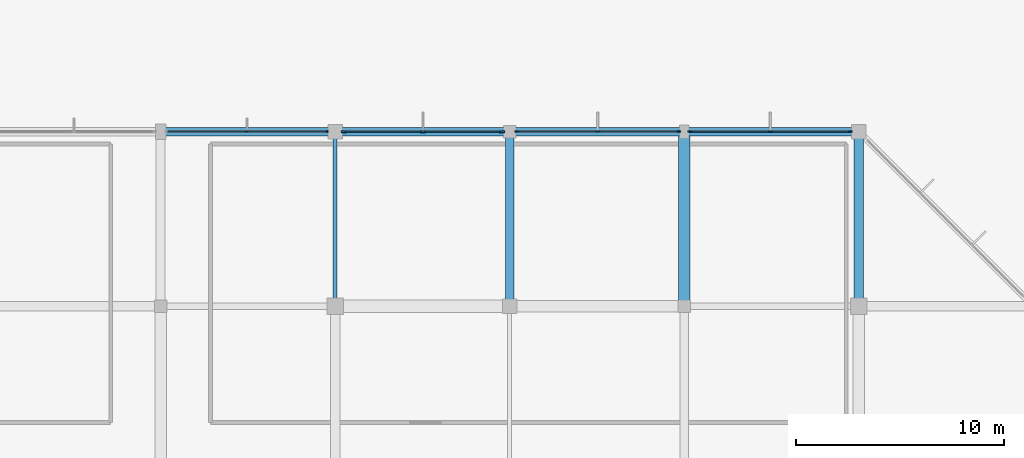
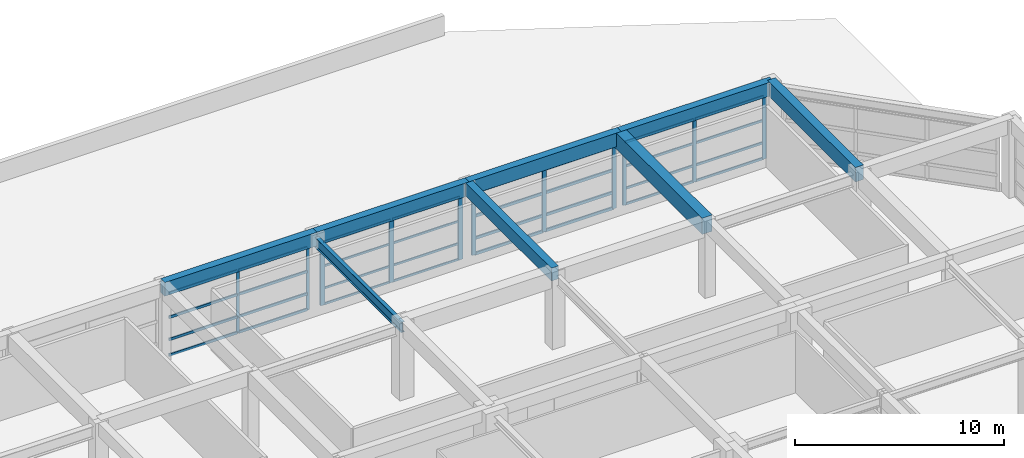
# One storey, part 34 of 60: 43 members, 8 beams, 4 elements without a shape of their own.
"""IFC4 building model written with IfcOpenShell, lengths in metres."""

import ifcopenshell
import ifcopenshell.guid

model = None  # the IFC model being written
_history = None  # IfcOwnerHistory: only IFC2X3 demands one
_inside = {}  # id of a spatial element -> (the spatial element, [elements in it])
_under = {}  # id of a project, library or spatial element -> (it, [spatial elements below it])
_declared = {}  # id of a project -> (the project, [libraries it declares])
_typed = {}  # id of a type object -> (the type object, [elements of that type])
_made_of = {}  # id of a material, layer set ... -> (it, [elements and type objects made of it])


def new_model(schema):
    """Start an empty IFC model of exactly this schema.

    Asked for "IFC4X3", IfcOpenShell would pick the latest addendum, in which some entities
    have other attributes; the version numbers below select the first issue.
    IFC2X3 requires an IfcOwnerHistory on every rooted entity: one is made here for all.
    """
    global model, _history
    if schema == "IFC4X3":
        model = ifcopenshell.file(schema_version=(4, 3, 0, 0))
    else:
        model = ifcopenshell.file(schema=schema)
    _inside.clear()
    _under.clear()
    _declared.clear()
    _typed.clear()
    _made_of.clear()
    _history = None
    if model.schema == "IFC2X3":
        org = make("IfcOrganization", Name="unknown")
        user = make(
            "IfcPersonAndOrganization",
            ThePerson=make("IfcPerson", FamilyName="unknown"),
            TheOrganization=org,
        )
        app = make(
            "IfcApplication",
            ApplicationDeveloper=org,
            Version="unknown",
            ApplicationFullName="unknown",
            ApplicationIdentifier="unknown",
        )
        _history = make(
            "IfcOwnerHistory",
            OwningUser=user,
            OwningApplication=app,
            ChangeAction="ADDED",
            CreationDate=0,
        )
    return model


def make(cls, **values):
    """One entity of the class cls with the attributes given. An attribute that is None is left unset."""
    return model.create_entity(
        cls, **{name: value for name, value in values.items() if value is not None}
    )


def rooted(cls, **values):
    """An entity with a GlobalId (a new one), such as an element, a storey or a relation."""
    return make(cls, GlobalId=ifcopenshell.guid.new(), OwnerHistory=_history, **values)


def si_unit(unit_type, name, prefix=None):
    """IfcSIUnit, for example si_unit("LENGTHUNIT", "METRE", prefix="MILLI")."""
    return make("IfcSIUnit", UnitType=unit_type, Prefix=prefix, Name=name)


def assignment(units):
    """IfcUnitAssignment: the units of a project."""
    return None if units is None else make("IfcUnitAssignment", Units=units)


def point(xyz):
    """IfcCartesianPoint."""
    return None if xyz is None else make("IfcCartesianPoint", Coordinates=xyz)


def direction(xyz):
    """IfcDirection."""
    return None if xyz is None else make("IfcDirection", DirectionRatios=xyz)


def frame(location, z_axis=None, x_axis=None):
    """IfcAxis2Placement3D, a coordinate frame: its origin and axes. An axis left out is left unset."""
    return make(
        "IfcAxis2Placement3D",
        Location=point(location),
        Axis=direction(z_axis),
        RefDirection=direction(x_axis),
    )


def frame_2d(location, x_axis=None):
    """IfcAxis2Placement2D, a coordinate frame in the plane: its origin and x axis."""
    return make(
        "IfcAxis2Placement2D", Location=point(location), RefDirection=direction(x_axis)
    )


def origin():
    """The frame at (0, 0, 0) with its axes left unset."""
    return frame((0.0, 0.0, 0.0))


def origin_2d():
    """The frame at (0, 0) in the plane with its x axis left unset."""
    return frame_2d((0.0, 0.0))


def place(relative_to, where):
    """IfcLocalPlacement: puts the frame where relative to a parent placement (None: the world)."""
    return make(
        "IfcLocalPlacement", PlacementRelTo=relative_to, RelativePlacement=where
    )


def context(
    kind, dimensions, precision=None, world=None, true_north=None, identifier=None
):
    """IfcGeometricRepresentationContext, for example the 3D "Model" context."""
    return make(
        "IfcGeometricRepresentationContext",
        ContextIdentifier=identifier,
        ContextType=kind,
        CoordinateSpaceDimension=dimensions,
        Precision=precision,
        WorldCoordinateSystem=world,
        TrueNorth=true_north,
    )


def subcontext(parent, identifier, kind, view, scale=None):
    """IfcGeometricRepresentationSubContext, for example "Body" below "Model"."""
    return make(
        "IfcGeometricRepresentationSubContext",
        ContextIdentifier=identifier,
        ContextType=kind,
        ParentContext=parent,
        TargetScale=scale,
        TargetView=view,
    )


def project(units=None, contexts=None):
    """IfcProject with its units and contexts."""
    return rooted(
        "IfcProject",
        Name="project",
        RepresentationContexts=contexts,
        UnitsInContext=assignment(units),
    )


def spatial(cls, under=None, at=None, **own):
    """A site, building, storey or space (cls), placed at a placement, below another one or the project."""
    s = rooted(cls, ObjectPlacement=at, **own)
    if under is not None:
        _under.setdefault(under.id(), (under, []))[1].append(s)
    return s


def profile(cls, at=None, kind="AREA", **sizes):
    """A parametric profile (cls). Its sizes go by their IFC names, for example OverallWidth=200.0."""
    return make(cls, ProfileType=kind, Position=at, **sizes)


def rectangle(**sizes):
    """IfcRectangleProfileDef."""
    return profile("IfcRectangleProfileDef", **sizes)


def i_section(**sizes):
    """IfcIShapeProfileDef."""
    return profile("IfcIShapeProfileDef", **sizes)


def extrude(swept, where, along, depth):
    """IfcExtrudedAreaSolid: the profile swept, set in the frame where, extruded along a direction by depth."""
    return make(
        "IfcExtrudedAreaSolid",
        SweptArea=swept,
        Position=where,
        ExtrudedDirection=direction(along),
        Depth=depth,
    )


def shape(context_of_items, identifier, shape_type, items):
    """IfcShapeRepresentation: the items that make up one representation, for example the "Body"."""
    return make(
        "IfcShapeRepresentation",
        ContextOfItems=context_of_items,
        RepresentationIdentifier=identifier,
        RepresentationType=shape_type,
        Items=items,
    )


def material(Name=None, Category=None):
    """IfcMaterial."""
    return make("IfcMaterial", Name=Name, Category=Category)


def material_profile(
    of_material, cross_section, Name=None, Category=None, Priority=None
):
    """IfcMaterialProfile: a cross section and its material."""
    return make(
        "IfcMaterialProfile",
        Name=Name,
        Material=of_material,
        Profile=cross_section,
        Priority=Priority,
        Category=Category,
    )


def profile_set(profiles, Name=None, composite=None):
    """IfcMaterialProfileSet."""
    return make(
        "IfcMaterialProfileSet",
        Name=Name,
        MaterialProfiles=profiles,
        CompositeProfile=composite,
    )


def made_of(thing, what):
    """Note that an element or type object is made of a material, layer set ...; save() writes the relation."""
    if what is not None:
        _made_of.setdefault(what.id(), (what, []))[1].append(thing)
    return thing


def type_object(cls, material=None, **own):
    """A type object (cls), such as IfcWallType, which elements share."""
    return made_of(rooted(cls, **own), material)


def element(
    cls,
    number,
    at=None,
    inside=None,
    cuts=None,
    type_object=None,
    material=None,
    context=None,
    identifier="Body",
    shape_type=None,
    held_by="IfcProductDefinitionShape",
    body=None,
    shapes=None,
    **own,
):
    """One element of the class cls, such as IfcWall. Its Tag is "e" and its number.

    at: its placement. inside: the storey or other place that contains it. cuts: it is an
    opening in that element (IfcRelVoidsElement). A single representation is given by context,
    identifier, shape_type and body (its items); several are given by shapes. held_by: the class
    of the entity that holds the representations. save() writes the other relations.
    """
    e = rooted(cls, Tag="e%d" % number, ObjectPlacement=at, **own)
    if body is not None:
        shapes = [shape(context, identifier, shape_type, body)]
    if shapes is not None:
        e.Representation = make(held_by, Representations=shapes)
    if inside is not None:
        _inside.setdefault(inside.id(), (inside, []))[1].append(e)
    if cuts is not None:
        rooted(
            "IfcRelVoidsElement", RelatingBuildingElement=cuts, RelatedOpeningElement=e
        )
    if type_object is not None:
        _typed.setdefault(type_object.id(), (type_object, []))[1].append(e)
    return made_of(e, material)


def aggregate(whole, parts):
    """IfcRelAggregates: a whole, such as a stair, and the parts it consists of."""
    return rooted("IfcRelAggregates", RelatingObject=whole, RelatedObjects=parts)


def save(model, path):
    """Write the relations noted so far, then the file.

    IfcRelAggregates (storeys below a building ...), IfcRelContainedInSpatialStructure (elements
    in a storey), IfcRelDefinesByType, IfcRelAssociatesMaterial and IfcRelDeclares: one each for
    every whole, place, type object, material and project.
    """
    for whole, parts in _under.values():
        aggregate(whole, parts)
    for where, things in _inside.values():
        rooted(
            "IfcRelContainedInSpatialStructure",
            RelatedElements=things,
            RelatingStructure=where,
        )
    for kind, things in _typed.values():
        rooted("IfcRelDefinesByType", RelatedObjects=things, RelatingType=kind)
    for what, things in _made_of.values():
        rooted("IfcRelAssociatesMaterial", RelatedObjects=things, RelatingMaterial=what)
    for by, libraries in _declared.values():
        rooted("IfcRelDeclares", RelatingContext=by, RelatedDefinitions=libraries)
    model.write(path)


model = new_model("IFC4")

# Units and contexts
model_context = context("Model", 3, precision=1e-05, world=origin(), true_north=direction((0.0, 1.0)))
body_context = subcontext(model_context, "Body", "Model", "MODEL_VIEW")
ifc_project = project(units=[si_unit("LENGTHUNIT", "METRE"), si_unit("AREAUNIT", "SQUARE_METRE"), si_unit("VOLUMEUNIT", "CUBIC_METRE"), si_unit("PLANEANGLEUNIT", "RADIAN"), si_unit("MASSUNIT", "GRAM", prefix="KILO")], contexts=[model_context])

# Site, building, storey
site_placement = place(None, origin())
site = spatial("IfcSite", under=ifc_project, at=site_placement, CompositionType="ELEMENT")
building_placement = place(site_placement, origin())
building = spatial("IfcBuilding", under=site, at=building_placement, Name="Xuanlan Plaza Opera House", CompositionType="ELEMENT")
storey_placement = place(building_placement, frame((0.0, 0.0, 9.89990234375)))
storey = spatial("IfcBuildingStorey", under=building, at=storey_placement, Name="L02", CompositionType="ELEMENT", Elevation=9.89990234375)

# Curtain wall, members
ifc_material_1 = material(Name="Anodised Aluminium 6063-T6 and Low-E Glass", Category="aluminium")
curtain_wall_type_1 = type_object("IfcCurtainWallType", Name="ENV-CW-CW-05", PredefinedType="USERDEFINED", material=ifc_material_1)
curtain_wall_1_placement = place(storey_placement, origin())
curtain_wall_1 = element("IfcCurtainWall", 1, at=curtain_wall_1_placement, inside=storey, type_object=curtain_wall_type_1, Name="Acoustic Glazed Wall L02-032", ObjectType="ACOUSTIC GLAZED WALL", PredefinedType="USERDEFINED")
ifc_material_2 = material(Name="Anodised Aluminium 6063-T6", Category="aluminium")
ifc_material_profile_1 = material_profile(ifc_material_2, rectangle(XDim=0.06494140625, YDim=0.159912109375, at=origin_2d()), Name="ALU-M 65x160")
ifc_profile_set_1 = profile_set([ifc_material_profile_1], Name="Anodised Aluminium 6063-T6")
member_type_1 = type_object("IfcMemberType", Name="ENV-CWM-01", PredefinedType="MULLION", material=ifc_profile_set_1)
member_1_placement = place(storey_placement, frame((133.99755859375, 100.800048828125, 0.0), z_axis=(0.0, 0.0, 1.0), x_axis=(0.0, -1.0, 0.0)))
member_1 = element("IfcMember", 2, at=member_1_placement, type_object=member_type_1, Name="CW-05 mullion 1", PredefinedType="MULLION", context=body_context, shape_type="SweptSolid", body=[
    extrude(rectangle(XDim=0.06494140625, YDim=0.159912109375, at=origin_2d()), origin(), (0.0, 0.0, 1.0), 3.68017578125),
])
member_2_placement = place(storey_placement, frame((130.14990234375, 100.800048828125, 0.0), z_axis=(0.0, 0.0, 1.0), x_axis=(0.0, -1.0, 0.0)))
member_2 = element("IfcMember", 3, at=member_2_placement, type_object=member_type_1, Name="CW-05 mullion 2", PredefinedType="MULLION", context=body_context, shape_type="SweptSolid", body=[
    extrude(rectangle(XDim=0.06494140625, YDim=0.159912109375, at=origin_2d()), origin(), (0.0, 0.0, 1.0), 3.68017578125),
])

curtain_wall_type_2 = type_object("IfcCurtainWallType", Name="ENV-CW-CW-01", PredefinedType="USERDEFINED", material=ifc_material_1)
curtain_wall_2_placement = place(storey_placement, origin())
curtain_wall_2 = element("IfcCurtainWall", 4, at=curtain_wall_2_placement, inside=storey, type_object=curtain_wall_type_2, Name="Unitised Curtain Wall L02-029", ObjectType="UNITISED CURTAIN WALL", PredefinedType="USERDEFINED")
ifc_material_profile_2 = material_profile(ifc_material_2, rectangle(XDim=0.074951171875, YDim=0.199951171875, at=origin_2d()), Name="ALU-M 75x200")
ifc_profile_set_2 = profile_set([ifc_material_profile_2], Name="Anodised Aluminium 6063-T6")
member_type_2 = type_object("IfcMemberType", Name="ENV-CWM-03", PredefinedType="MULLION", material=ifc_profile_set_2)
member_3_placement = place(storey_placement, frame((159.1923828125, 100.800048828125, 0.0), z_axis=(0.0, 0.0, 1.0), x_axis=(0.0, -1.0, 0.0)))
member_3 = element("IfcMember", 5, at=member_3_placement, type_object=member_type_2, Name="CW-01 mullion 1", PredefinedType="MULLION", context=body_context, shape_type="SweptSolid", body=[
    extrude(rectangle(XDim=0.074951171875, YDim=0.199951171875, at=origin_2d()), origin(), (0.0, 0.0, 1.0), 3.68017578125),
])
member_4_placement = place(storey_placement, frame((155.33740234375, 100.800048828125, 0.0), z_axis=(0.0, 0.0, 1.0), x_axis=(0.0, -1.0, 0.0)))
member_4 = element("IfcMember", 6, at=member_4_placement, type_object=member_type_2, Name="CW-01 mullion 2", PredefinedType="MULLION", context=body_context, shape_type="SweptSolid", body=[
    extrude(rectangle(XDim=0.074951171875, YDim=0.199951171875, at=origin_2d()), origin(), (0.0, 0.0, 1.0), 3.68017578125),
])
member_5_placement = place(storey_placement, frame((151.482421875, 100.800048828125, 0.0), z_axis=(0.0, 0.0, 1.0), x_axis=(0.0, -1.0, 0.0)))
member_5 = element("IfcMember", 7, at=member_5_placement, type_object=member_type_2, Name="CW-01 mullion 3", PredefinedType="MULLION", context=body_context, shape_type="SweptSolid", body=[
    extrude(rectangle(XDim=0.074951171875, YDim=0.199951171875, at=origin_2d()), origin(), (0.0, 0.0, 1.0), 3.68017578125),
])

curtain_wall_type_3 = type_object("IfcCurtainWallType", Name="ENV-CW-CW-02", PredefinedType="USERDEFINED", material=ifc_material_1)
curtain_wall_3_placement = place(storey_placement, origin())
curtain_wall_3 = element("IfcCurtainWall", 8, at=curtain_wall_3_placement, inside=storey, type_object=curtain_wall_type_3, Name="Unitised Curtain Wall L02-030", ObjectType="UNITISED CURTAIN WALL", PredefinedType="USERDEFINED")
ifc_material_profile_3 = material_profile(ifc_material_2, rectangle(XDim=0.080078125, YDim=0.219970703125, at=origin_2d()), Name="ALU-M 80x220")
ifc_profile_set_3 = profile_set([ifc_material_profile_3], Name="Anodised Aluminium 6063-T6")
member_type_3 = type_object("IfcMemberType", Name="ENV-CWM-04", PredefinedType="MULLION", material=ifc_profile_set_3)
member_6_placement = place(storey_placement, frame((150.9150390625, 100.800048828125, 0.0), z_axis=(0.0, 0.0, 1.0), x_axis=(0.0, -1.0, 0.0)))
member_6 = element("IfcMember", 9, at=member_6_placement, type_object=member_type_3, Name="CW-02 mullion 1", PredefinedType="MULLION", context=body_context, shape_type="SweptSolid", body=[
    extrude(rectangle(XDim=0.080078125, YDim=0.219970703125, at=origin_2d()), origin(), (0.0, 0.0, 1.0), 3.68017578125),
])
member_7_placement = place(storey_placement, frame((147.03759765625, 100.800048828125, 0.0), z_axis=(0.0, 0.0, 1.0), x_axis=(0.0, -1.0, 0.0)))
member_7 = element("IfcMember", 10, at=member_7_placement, type_object=member_type_3, Name="CW-02 mullion 2", PredefinedType="MULLION", context=body_context, shape_type="SweptSolid", body=[
    extrude(rectangle(XDim=0.080078125, YDim=0.219970703125, at=origin_2d()), origin(), (0.0, 0.0, 1.0), 3.68017578125),
])
member_8_placement = place(storey_placement, frame((143.159912109375, 100.800048828125, 0.0), z_axis=(0.0, 0.0, 1.0), x_axis=(0.0, -1.0, 0.0)))
member_8 = element("IfcMember", 11, at=member_8_placement, type_object=member_type_3, Name="CW-02 mullion 3", PredefinedType="MULLION", context=body_context, shape_type="SweptSolid", body=[
    extrude(rectangle(XDim=0.080078125, YDim=0.219970703125, at=origin_2d()), origin(), (0.0, 0.0, 1.0), 3.68017578125),
])

curtain_wall_type_4 = type_object("IfcCurtainWallType", Name="ENV-CW-CW-03", PredefinedType="USERDEFINED", material=ifc_material_1)
curtain_wall_4_placement = place(storey_placement, origin())
curtain_wall_4 = element("IfcCurtainWall", 12, at=curtain_wall_4_placement, inside=storey, type_object=curtain_wall_type_4, Name="Unitised Curtain Wall L02-031", ObjectType="UNITISED CURTAIN WALL", PredefinedType="USERDEFINED")
ifc_material_profile_4 = material_profile(ifc_material_2, rectangle(XDim=0.090087890625, YDim=0.25, at=origin_2d()), Name="ALU-M 90x250")
ifc_profile_set_4 = profile_set([ifc_material_profile_4], Name="Anodised Aluminium 6063-T6")
member_type_4 = type_object("IfcMemberType", Name="ENV-CWM-05", PredefinedType="MULLION", material=ifc_profile_set_4)
member_9_placement = place(storey_placement, frame((142.43505859375, 100.800048828125, 0.0), z_axis=(0.0, 0.0, 1.0), x_axis=(0.0, -1.0, 0.0)))
member_9 = element("IfcMember", 13, at=member_9_placement, type_object=member_type_4, Name="CW-03 mullion 1", PredefinedType="MULLION", context=body_context, shape_type="SweptSolid", body=[
    extrude(rectangle(XDim=0.090087890625, YDim=0.25, at=origin_2d()), origin(), (0.0, 0.0, 1.0), 3.68017578125),
])
member_10_placement = place(storey_placement, frame((138.625, 100.800048828125, 0.0), z_axis=(0.0, 0.0, 1.0), x_axis=(0.0, -1.0, 0.0)))
member_10 = element("IfcMember", 14, at=member_10_placement, type_object=member_type_4, Name="CW-03 mullion 2", PredefinedType="MULLION", context=body_context, shape_type="SweptSolid", body=[
    extrude(rectangle(XDim=0.090087890625, YDim=0.25, at=origin_2d()), origin(), (0.0, 0.0, 1.0), 3.68017578125),
])
member_11_placement = place(storey_placement, frame((134.81494140625, 100.800048828125, 0.0), z_axis=(0.0, 0.0, 1.0), x_axis=(0.0, -1.0, 0.0)))
member_11 = element("IfcMember", 15, at=member_11_placement, type_object=member_type_4, Name="CW-03 mullion 3", PredefinedType="MULLION", context=body_context, shape_type="SweptSolid", body=[
    extrude(rectangle(XDim=0.090087890625, YDim=0.25, at=origin_2d()), origin(), (0.0, 0.0, 1.0), 3.68017578125),
])
ifc_material_profile_5 = material_profile(ifc_material_2, rectangle(XDim=0.06494140625, YDim=0.1201171875, at=origin_2d()), Name="ALU-T 65x120")
ifc_profile_set_5 = profile_set([ifc_material_profile_5], Name="Anodised Aluminium 6063-T6")
member_type_5 = type_object("IfcMemberType", Name="ENV-CWT-01", PredefinedType="USERDEFINED", material=ifc_profile_set_5)
member_12_placement = place(storey_placement, frame((142.389892578125, 100.800048828125, 0.03271484375), z_axis=(-1.0, 0.0, 0.0), x_axis=(0.0, -1.0, 0.0)))
member_12 = element("IfcMember", 16, at=member_12_placement, type_object=member_type_5, Name="CW-03 transom 1.1", ObjectType="TRANSOM", PredefinedType="USERDEFINED", context=body_context, shape_type="SweptSolid", body=[
    extrude(rectangle(XDim=0.06494140625, YDim=0.1201171875, at=origin_2d()), origin(), (0.0, 0.0, 1.0), 3.719970703125),
])
member_13_placement = place(storey_placement, frame((142.389892578125, 100.800048828125, 0.9501953125), z_axis=(-1.0, 0.0, 0.0), x_axis=(0.0, -1.0, 0.0)))
member_13 = element("IfcMember", 17, at=member_13_placement, type_object=member_type_5, Name="CW-03 transom 1.2", ObjectType="TRANSOM", PredefinedType="USERDEFINED", context=body_context, shape_type="SweptSolid", body=[
    extrude(rectangle(XDim=0.06494140625, YDim=0.1201171875, at=origin_2d()), origin(), (0.0, 0.0, 1.0), 3.719970703125),
])
member_14_placement = place(storey_placement, frame((142.389892578125, 100.800048828125, 2.25), z_axis=(-1.0, 0.0, 0.0), x_axis=(0.0, -1.0, 0.0)))
member_14 = element("IfcMember", 18, at=member_14_placement, type_object=member_type_5, Name="CW-03 transom 1.3", ObjectType="TRANSOM", PredefinedType="USERDEFINED", context=body_context, shape_type="SweptSolid", body=[
    extrude(rectangle(XDim=0.06494140625, YDim=0.1201171875, at=origin_2d()), origin(), (0.0, 0.0, 1.0), 3.719970703125),
])
member_15_placement = place(storey_placement, frame((142.389892578125, 100.800048828125, 3.647705078125), z_axis=(-1.0, 0.0, 0.0), x_axis=(0.0, -1.0, 0.0)))
member_15 = element("IfcMember", 19, at=member_15_placement, type_object=member_type_5, Name="CW-03 transom 1.4", ObjectType="TRANSOM", PredefinedType="USERDEFINED", context=body_context, shape_type="SweptSolid", body=[
    extrude(rectangle(XDim=0.06494140625, YDim=0.1201171875, at=origin_2d()), origin(), (0.0, 0.0, 1.0), 3.719970703125),
])
member_16_placement = place(storey_placement, frame((138.580078125, 100.800048828125, 0.03271484375), z_axis=(-1.0, 0.0, 0.0), x_axis=(0.0, -1.0, 0.0)))
member_16 = element("IfcMember", 20, at=member_16_placement, type_object=member_type_5, Name="CW-03 transom 2.1", ObjectType="TRANSOM", PredefinedType="USERDEFINED", context=body_context, shape_type="SweptSolid", body=[
    extrude(rectangle(XDim=0.06494140625, YDim=0.1201171875, at=origin_2d()), origin(), (0.0, 0.0, 1.0), 3.719970703125),
])
member_17_placement = place(storey_placement, frame((138.580078125, 100.800048828125, 0.9501953125), z_axis=(-1.0, 0.0, 0.0), x_axis=(0.0, -1.0, 0.0)))
member_17 = element("IfcMember", 21, at=member_17_placement, type_object=member_type_5, Name="CW-03 transom 2.2", ObjectType="TRANSOM", PredefinedType="USERDEFINED", context=body_context, shape_type="SweptSolid", body=[
    extrude(rectangle(XDim=0.06494140625, YDim=0.1201171875, at=origin_2d()), origin(), (0.0, 0.0, 1.0), 3.719970703125),
])
member_18_placement = place(storey_placement, frame((138.580078125, 100.800048828125, 2.25), z_axis=(-1.0, 0.0, 0.0), x_axis=(0.0, -1.0, 0.0)))
member_18 = element("IfcMember", 22, at=member_18_placement, type_object=member_type_5, Name="CW-03 transom 2.3", ObjectType="TRANSOM", PredefinedType="USERDEFINED", context=body_context, shape_type="SweptSolid", body=[
    extrude(rectangle(XDim=0.06494140625, YDim=0.1201171875, at=origin_2d()), origin(), (0.0, 0.0, 1.0), 3.719970703125),
])
member_19_placement = place(storey_placement, frame((138.580078125, 100.800048828125, 3.647705078125), z_axis=(-1.0, 0.0, 0.0), x_axis=(0.0, -1.0, 0.0)))
member_19 = element("IfcMember", 23, at=member_19_placement, type_object=member_type_5, Name="CW-03 transom 2.4", ObjectType="TRANSOM", PredefinedType="USERDEFINED", context=body_context, shape_type="SweptSolid", body=[
    extrude(rectangle(XDim=0.06494140625, YDim=0.1201171875, at=origin_2d()), origin(), (0.0, 0.0, 1.0), 3.719970703125),
])
aggregate(curtain_wall_4, [member_9, member_10, member_11, member_12, member_13, member_14, member_15, member_16, member_17, member_18, member_19])

# Member
ifc_material_profile_6 = material_profile(ifc_material_2, rectangle(XDim=0.070068359375, YDim=0.135009765625, at=origin_2d()), Name="ALU-T 70x135")
ifc_profile_set_6 = profile_set([ifc_material_profile_6], Name="Anodised Aluminium 6063-T6")
member_type_6 = type_object("IfcMemberType", Name="ENV-CWT-02", PredefinedType="USERDEFINED", material=ifc_profile_set_6)
member_20_placement = place(storey_placement, frame((159.155029296875, 100.800048828125, 0.03515625), z_axis=(-1.0, 0.0, 0.0), x_axis=(0.0, -1.0, 0.0)))
member_20 = element("IfcMember", 24, at=member_20_placement, type_object=member_type_6, Name="CW-01 transom 1.1", ObjectType="TRANSOM", PredefinedType="USERDEFINED", context=body_context, shape_type="SweptSolid", body=[
    extrude(rectangle(XDim=0.070068359375, YDim=0.135009765625, at=origin_2d()), origin(), (0.0, 0.0, 1.0), 3.780029296875),
])

member_21_placement = place(storey_placement, frame((159.155029296875, 100.800048828125, 0.9501953125), z_axis=(-1.0, 0.0, 0.0), x_axis=(0.0, -1.0, 0.0)))
member_21 = element("IfcMember", 25, at=member_21_placement, type_object=member_type_6, Name="CW-01 transom 1.2", ObjectType="TRANSOM", PredefinedType="USERDEFINED", context=body_context, shape_type="SweptSolid", body=[
    extrude(rectangle(XDim=0.070068359375, YDim=0.135009765625, at=origin_2d()), origin(), (0.0, 0.0, 1.0), 3.780029296875),
])

member_22_placement = place(storey_placement, frame((159.155029296875, 100.800048828125, 2.25), z_axis=(-1.0, 0.0, 0.0), x_axis=(0.0, -1.0, 0.0)))
member_22 = element("IfcMember", 26, at=member_22_placement, type_object=member_type_6, Name="CW-01 transom 1.3", ObjectType="TRANSOM", PredefinedType="USERDEFINED", context=body_context, shape_type="SweptSolid", body=[
    extrude(rectangle(XDim=0.070068359375, YDim=0.135009765625, at=origin_2d()), origin(), (0.0, 0.0, 1.0), 3.780029296875),
])

member_23_placement = place(storey_placement, frame((159.155029296875, 100.800048828125, 3.64501953125), z_axis=(-1.0, 0.0, 0.0), x_axis=(0.0, -1.0, 0.0)))
member_23 = element("IfcMember", 27, at=member_23_placement, type_object=member_type_6, Name="CW-01 transom 1.4", ObjectType="TRANSOM", PredefinedType="USERDEFINED", context=body_context, shape_type="SweptSolid", body=[
    extrude(rectangle(XDim=0.070068359375, YDim=0.135009765625, at=origin_2d()), origin(), (0.0, 0.0, 1.0), 3.780029296875),
])

member_24_placement = place(storey_placement, frame((155.300048828125, 100.800048828125, 0.03515625), z_axis=(-1.0, 0.0, 0.0), x_axis=(0.0, -1.0, 0.0)))
member_24 = element("IfcMember", 28, at=member_24_placement, type_object=member_type_6, Name="CW-01 transom 2.1", ObjectType="TRANSOM", PredefinedType="USERDEFINED", context=body_context, shape_type="SweptSolid", body=[
    extrude(rectangle(XDim=0.070068359375, YDim=0.135009765625, at=origin_2d()), origin(), (0.0, 0.0, 1.0), 3.780029296875),
])

member_25_placement = place(storey_placement, frame((155.300048828125, 100.800048828125, 0.9501953125), z_axis=(-1.0, 0.0, 0.0), x_axis=(0.0, -1.0, 0.0)))
member_25 = element("IfcMember", 29, at=member_25_placement, type_object=member_type_6, Name="CW-01 transom 2.2", ObjectType="TRANSOM", PredefinedType="USERDEFINED", context=body_context, shape_type="SweptSolid", body=[
    extrude(rectangle(XDim=0.070068359375, YDim=0.135009765625, at=origin_2d()), origin(), (0.0, 0.0, 1.0), 3.780029296875),
])

member_26_placement = place(storey_placement, frame((155.300048828125, 100.800048828125, 2.25), z_axis=(-1.0, 0.0, 0.0), x_axis=(0.0, -1.0, 0.0)))
member_26 = element("IfcMember", 30, at=member_26_placement, type_object=member_type_6, Name="CW-01 transom 2.3", ObjectType="TRANSOM", PredefinedType="USERDEFINED", context=body_context, shape_type="SweptSolid", body=[
    extrude(rectangle(XDim=0.070068359375, YDim=0.135009765625, at=origin_2d()), origin(), (0.0, 0.0, 1.0), 3.780029296875),
])

member_27_placement = place(storey_placement, frame((155.300048828125, 100.800048828125, 3.64501953125), z_axis=(-1.0, 0.0, 0.0), x_axis=(0.0, -1.0, 0.0)))
member_27 = element("IfcMember", 31, at=member_27_placement, type_object=member_type_6, Name="CW-01 transom 2.4", ObjectType="TRANSOM", PredefinedType="USERDEFINED", context=body_context, shape_type="SweptSolid", body=[
    extrude(rectangle(XDim=0.070068359375, YDim=0.135009765625, at=origin_2d()), origin(), (0.0, 0.0, 1.0), 3.780029296875),
])

aggregate(curtain_wall_2, [member_3, member_4, member_5, member_20, member_21, member_22, member_23, member_24, member_25, member_26, member_27])

ifc_material_profile_7 = material_profile(ifc_material_2, rectangle(XDim=0.074951171875, YDim=0.14990234375, at=origin_2d()), Name="ALU-T 75x150")
ifc_profile_set_7 = profile_set([ifc_material_profile_7], Name="Anodised Aluminium 6063-T6")
member_type_7 = type_object("IfcMemberType", Name="ENV-CWT-03", PredefinedType="USERDEFINED", material=ifc_profile_set_7)
member_28_placement = place(storey_placement, frame((133.965087890625, 100.800048828125, 0.03759765625), z_axis=(-1.0, 0.0, 0.0), x_axis=(0.0, -1.0, 0.0)))
member_28 = element("IfcMember", 32, at=member_28_placement, type_object=member_type_7, Name="CW-05 transom 1.1", ObjectType="TRANSOM", PredefinedType="USERDEFINED", context=body_context, shape_type="SweptSolid", body=[
    extrude(rectangle(XDim=0.074951171875, YDim=0.14990234375, at=origin_2d()), origin(), (0.0, 0.0, 1.0), 3.782470703125),
])

member_29_placement = place(storey_placement, frame((133.965087890625, 100.800048828125, 0.9501953125), z_axis=(-1.0, 0.0, 0.0), x_axis=(0.0, -1.0, 0.0)))
member_29 = element("IfcMember", 33, at=member_29_placement, type_object=member_type_7, Name="CW-05 transom 1.2", ObjectType="TRANSOM", PredefinedType="USERDEFINED", context=body_context, shape_type="SweptSolid", body=[
    extrude(rectangle(XDim=0.074951171875, YDim=0.14990234375, at=origin_2d()), origin(), (0.0, 0.0, 1.0), 3.782470703125),
])

member_30_placement = place(storey_placement, frame((133.965087890625, 100.800048828125, 2.25), z_axis=(-1.0, 0.0, 0.0), x_axis=(0.0, -1.0, 0.0)))
member_30 = element("IfcMember", 34, at=member_30_placement, type_object=member_type_7, Name="CW-05 transom 1.3", ObjectType="TRANSOM", PredefinedType="USERDEFINED", context=body_context, shape_type="SweptSolid", body=[
    extrude(rectangle(XDim=0.074951171875, YDim=0.14990234375, at=origin_2d()), origin(), (0.0, 0.0, 1.0), 3.782470703125),
])

member_31_placement = place(storey_placement, frame((133.965087890625, 100.800048828125, 3.642578125), z_axis=(-1.0, 0.0, 0.0), x_axis=(0.0, -1.0, 0.0)))
member_31 = element("IfcMember", 35, at=member_31_placement, type_object=member_type_7, Name="CW-05 transom 1.4", ObjectType="TRANSOM", PredefinedType="USERDEFINED", context=body_context, shape_type="SweptSolid", body=[
    extrude(rectangle(XDim=0.074951171875, YDim=0.14990234375, at=origin_2d()), origin(), (0.0, 0.0, 1.0), 3.782470703125),
])

member_32_placement = place(storey_placement, frame((130.117431640625, 100.800048828125, 0.03759765625), z_axis=(-1.0, 0.0, 0.0), x_axis=(0.0, -1.0, 0.0)))
member_32 = element("IfcMember", 36, at=member_32_placement, type_object=member_type_7, Name="CW-05 transom 2.1", ObjectType="TRANSOM", PredefinedType="USERDEFINED", context=body_context, shape_type="SweptSolid", body=[
    extrude(rectangle(XDim=0.074951171875, YDim=0.14990234375, at=origin_2d()), origin(), (0.0, 0.0, 1.0), 3.782470703125),
])

member_33_placement = place(storey_placement, frame((130.117431640625, 100.800048828125, 0.9501953125), z_axis=(-1.0, 0.0, 0.0), x_axis=(0.0, -1.0, 0.0)))
member_33 = element("IfcMember", 37, at=member_33_placement, type_object=member_type_7, Name="CW-05 transom 2.2", ObjectType="TRANSOM", PredefinedType="USERDEFINED", context=body_context, shape_type="SweptSolid", body=[
    extrude(rectangle(XDim=0.074951171875, YDim=0.14990234375, at=origin_2d()), origin(), (0.0, 0.0, 1.0), 3.782470703125),
])

member_34_placement = place(storey_placement, frame((130.117431640625, 100.800048828125, 2.25), z_axis=(-1.0, 0.0, 0.0), x_axis=(0.0, -1.0, 0.0)))
member_34 = element("IfcMember", 38, at=member_34_placement, type_object=member_type_7, Name="CW-05 transom 2.3", ObjectType="TRANSOM", PredefinedType="USERDEFINED", context=body_context, shape_type="SweptSolid", body=[
    extrude(rectangle(XDim=0.074951171875, YDim=0.14990234375, at=origin_2d()), origin(), (0.0, 0.0, 1.0), 3.782470703125),
])

member_35_placement = place(storey_placement, frame((130.117431640625, 100.800048828125, 3.642578125), z_axis=(-1.0, 0.0, 0.0), x_axis=(0.0, -1.0, 0.0)))
member_35 = element("IfcMember", 39, at=member_35_placement, type_object=member_type_7, Name="CW-05 transom 2.4", ObjectType="TRANSOM", PredefinedType="USERDEFINED", context=body_context, shape_type="SweptSolid", body=[
    extrude(rectangle(XDim=0.074951171875, YDim=0.14990234375, at=origin_2d()), origin(), (0.0, 0.0, 1.0), 3.782470703125),
])

aggregate(curtain_wall_1, [member_1, member_2, member_28, member_29, member_30, member_31, member_32, member_33, member_34, member_35])

ifc_material_profile_8 = material_profile(ifc_material_2, rectangle(XDim=0.080078125, YDim=0.1650390625, at=origin_2d()), Name="ALU-T 80x165")
ifc_profile_set_8 = profile_set([ifc_material_profile_8], Name="Anodised Aluminium 6063-T6")
member_type_8 = type_object("IfcMemberType", Name="ENV-CWT-04", PredefinedType="USERDEFINED", material=ifc_profile_set_8)
member_36_placement = place(storey_placement, frame((150.875, 100.800048828125, 0.0400390625), z_axis=(-1.0, 0.0, 0.0), x_axis=(0.0, -1.0, 0.0)))
member_36 = element("IfcMember", 40, at=member_36_placement, type_object=member_type_8, Name="CW-02 transom 1.1", ObjectType="TRANSOM", PredefinedType="USERDEFINED", context=body_context, shape_type="SweptSolid", body=[
    extrude(rectangle(XDim=0.080078125, YDim=0.1650390625, at=origin_2d()), origin(), (0.0, 0.0, 1.0), 3.797607421875),
])

member_37_placement = place(storey_placement, frame((150.875, 100.800048828125, 0.9501953125), z_axis=(-1.0, 0.0, 0.0), x_axis=(0.0, -1.0, 0.0)))
member_37 = element("IfcMember", 41, at=member_37_placement, type_object=member_type_8, Name="CW-02 transom 1.2", ObjectType="TRANSOM", PredefinedType="USERDEFINED", context=body_context, shape_type="SweptSolid", body=[
    extrude(rectangle(XDim=0.080078125, YDim=0.1650390625, at=origin_2d()), origin(), (0.0, 0.0, 1.0), 3.797607421875),
])

member_38_placement = place(storey_placement, frame((150.875, 100.800048828125, 2.25), z_axis=(-1.0, 0.0, 0.0), x_axis=(0.0, -1.0, 0.0)))
member_38 = element("IfcMember", 42, at=member_38_placement, type_object=member_type_8, Name="CW-02 transom 1.3", ObjectType="TRANSOM", PredefinedType="USERDEFINED", context=body_context, shape_type="SweptSolid", body=[
    extrude(rectangle(XDim=0.080078125, YDim=0.1650390625, at=origin_2d()), origin(), (0.0, 0.0, 1.0), 3.797607421875),
])

member_39_placement = place(storey_placement, frame((150.875, 100.800048828125, 3.64013671875), z_axis=(-1.0, 0.0, 0.0), x_axis=(0.0, -1.0, 0.0)))
member_39 = element("IfcMember", 43, at=member_39_placement, type_object=member_type_8, Name="CW-02 transom 1.4", ObjectType="TRANSOM", PredefinedType="USERDEFINED", context=body_context, shape_type="SweptSolid", body=[
    extrude(rectangle(XDim=0.080078125, YDim=0.1650390625, at=origin_2d()), origin(), (0.0, 0.0, 1.0), 3.797607421875),
])

member_40_placement = place(storey_placement, frame((146.99755859375, 100.800048828125, 0.0400390625), z_axis=(-1.0, 0.0, 0.0), x_axis=(0.0, -1.0, 0.0)))
member_40 = element("IfcMember", 44, at=member_40_placement, type_object=member_type_8, Name="CW-02 transom 2.1", ObjectType="TRANSOM", PredefinedType="USERDEFINED", context=body_context, shape_type="SweptSolid", body=[
    extrude(rectangle(XDim=0.080078125, YDim=0.1650390625, at=origin_2d()), origin(), (0.0, 0.0, 1.0), 3.797607421875),
])

member_41_placement = place(storey_placement, frame((146.99755859375, 100.800048828125, 0.9501953125), z_axis=(-1.0, 0.0, 0.0), x_axis=(0.0, -1.0, 0.0)))
member_41 = element("IfcMember", 45, at=member_41_placement, type_object=member_type_8, Name="CW-02 transom 2.2", ObjectType="TRANSOM", PredefinedType="USERDEFINED", context=body_context, shape_type="SweptSolid", body=[
    extrude(rectangle(XDim=0.080078125, YDim=0.1650390625, at=origin_2d()), origin(), (0.0, 0.0, 1.0), 3.797607421875),
])

member_42_placement = place(storey_placement, frame((146.99755859375, 100.800048828125, 2.25), z_axis=(-1.0, 0.0, 0.0), x_axis=(0.0, -1.0, 0.0)))
member_42 = element("IfcMember", 46, at=member_42_placement, type_object=member_type_8, Name="CW-02 transom 2.3", ObjectType="TRANSOM", PredefinedType="USERDEFINED", context=body_context, shape_type="SweptSolid", body=[
    extrude(rectangle(XDim=0.080078125, YDim=0.1650390625, at=origin_2d()), origin(), (0.0, 0.0, 1.0), 3.797607421875),
])

member_43_placement = place(storey_placement, frame((146.99755859375, 100.800048828125, 3.64013671875), z_axis=(-1.0, 0.0, 0.0), x_axis=(0.0, -1.0, 0.0)))
member_43 = element("IfcMember", 47, at=member_43_placement, type_object=member_type_8, Name="CW-02 transom 2.4", ObjectType="TRANSOM", PredefinedType="USERDEFINED", context=body_context, shape_type="SweptSolid", body=[
    extrude(rectangle(XDim=0.080078125, YDim=0.1650390625, at=origin_2d()), origin(), (0.0, 0.0, 1.0), 3.797607421875),
])

aggregate(curtain_wall_3, [member_6, member_7, member_8, member_36, member_37, member_38, member_39, member_40, member_41, member_42, member_43])

# Beams
ifc_material_3 = material(Name="Concrete C50", Category="concrete")
ifc_material_profile_9 = material_profile(ifc_material_3, rectangle(XDim=0.550048828125, YDim=0.949951171875, at=origin_2d()), Name="RC-BM 550x950")
ifc_profile_set_9 = profile_set([ifc_material_profile_9], Name="Concrete C50")
beam_type_1 = type_object("IfcBeamType", Name="STR-BM-B-02", PredefinedType="BEAM", material=ifc_profile_set_9)
beam_1_placement = place(storey_placement, frame((151.199951171875, 92.39990234375, 4.025146484375), z_axis=(0.0, 1.0, 0.0), x_axis=(-1.0, 0.0, 0.0)))
element("IfcBeam", 48, at=beam_1_placement, inside=storey, type_object=beam_type_1, Name="Grid Beam Y L02 19/L-M", PredefinedType="BEAM", context=body_context, shape_type="SweptSolid", body=[
    extrude(rectangle(XDim=0.550048828125, YDim=0.949951171875, at=origin_2d()), origin(), (0.0, 0.0, 1.0), 8.400146484375),
])
ifc_material_4 = material(Name="Concrete C40", Category="concrete")
ifc_material_profile_10 = material_profile(ifc_material_4, rectangle(XDim=0.449951171875, YDim=0.85009765625, at=origin_2d()), Name="RC-BM 450x850")
ifc_profile_set_10 = profile_set([ifc_material_profile_10], Name="Concrete C40")
beam_type_2 = type_object("IfcBeamType", Name="STR-BM-B-04", PredefinedType="BEAM", material=ifc_profile_set_10)
beam_2_placement = place(storey_placement, frame((159.60009765625, 92.39990234375, 4.0751953125), z_axis=(0.0, 1.0, 0.0), x_axis=(-1.0, 0.0, 0.0)))
element("IfcBeam", 49, at=beam_2_placement, inside=storey, type_object=beam_type_2, Name="Grid Beam Y L02 20/L-M", PredefinedType="BEAM", context=body_context, shape_type="SweptSolid", body=[
    extrude(rectangle(XDim=0.449951171875, YDim=0.85009765625, at=origin_2d()), origin(), (0.0, 0.0, 1.0), 8.400146484375),
])
ifc_material_profile_11 = material_profile(ifc_material_4, rectangle(XDim=0.39990234375, YDim=0.75, at=origin_2d()), Name="RC-BM 400x750")
ifc_profile_set_11 = profile_set([ifc_material_profile_11], Name="Concrete C40")
beam_type_3 = type_object("IfcBeamType", Name="STR-BM-B-06", PredefinedType="BEAM", material=ifc_profile_set_11)
beam_3_placement = place(storey_placement, frame((142.800048828125, 92.39990234375, 4.125), z_axis=(0.0, 1.0, 0.0), x_axis=(-1.0, 0.0, 0.0)))
element("IfcBeam", 50, at=beam_3_placement, inside=storey, type_object=beam_type_3, Name="Grid Beam Y L02 18/L-M", PredefinedType="BEAM", context=body_context, shape_type="SweptSolid", body=[
    extrude(rectangle(XDim=0.39990234375, YDim=0.75, at=origin_2d()), origin(), (0.0, 0.0, 1.0), 8.400146484375),
])
ifc_material_5 = material(Name="Steel Q355B", Category="steel")
ifc_material_profile_12 = material_profile(ifc_material_5, i_section(OverallWidth=0.199951171875, OverallDepth=0.60009765625, WebThickness=0.010986328125, FlangeThickness=0.01708984375, FilletRadius=0.02197265625, at=origin_2d()), Name="HN 600x200x11x17")
ifc_profile_set_12 = profile_set([ifc_material_profile_12], Name="Steel Q355B")
beam_type_4 = type_object("IfcBeamType", Name="STR-BM-SB-04", PredefinedType="BEAM", material=ifc_profile_set_12)
beam_4_placement = place(storey_placement, frame((134.39990234375, 92.39990234375, 3.93505859375), z_axis=(0.0, 1.0, 0.0), x_axis=(-1.0, 0.0, 0.0)))
element("IfcBeam", 51, at=beam_4_placement, inside=storey, type_object=beam_type_4, Name="Grid Beam Y L02 17/L-M", PredefinedType="BEAM", context=body_context, shape_type="SweptSolid", body=[
    extrude(i_section(OverallWidth=0.199951171875, OverallDepth=0.60009765625, WebThickness=0.010986328125, FlangeThickness=0.01708984375, FilletRadius=0.02197265625, at=origin_2d()), origin(), (0.0, 0.0, 1.0), 8.400146484375),
])
ifc_material_profile_13 = material_profile(ifc_material_4, rectangle(XDim=0.39990234375, YDim=0.800048828125, at=origin_2d()), Name="RC-SPD 400x800")
ifc_profile_set_13 = profile_set([ifc_material_profile_13], Name="Concrete C40")
beam_type_5 = type_object("IfcBeamType", Name="STR-BM-SP-01", PredefinedType="SPANDREL", material=ifc_profile_set_13)
beam_5_placement = place(storey_placement, frame((126.0, 100.800048828125, 4.10009765625), z_axis=(1.0, 0.0, 0.0), x_axis=(0.0, 1.0, 0.0)))
element("IfcBeam", 52, at=beam_5_placement, inside=storey, type_object=beam_type_5, Name="Grid Beam X L02 16-17/M", PredefinedType="SPANDREL", context=body_context, shape_type="SweptSolid", body=[
    extrude(rectangle(XDim=0.39990234375, YDim=0.800048828125, at=origin_2d()), origin(), (0.0, 0.0, 1.0), 8.39990234375),
])
beam_6_placement = place(storey_placement, frame((134.39990234375, 100.800048828125, 4.10009765625), z_axis=(1.0, 0.0, 0.0), x_axis=(0.0, 1.0, 0.0)))
element("IfcBeam", 53, at=beam_6_placement, inside=storey, type_object=beam_type_5, Name="Grid Beam X L02 17-18/M", PredefinedType="SPANDREL", context=body_context, shape_type="SweptSolid", body=[
    extrude(rectangle(XDim=0.39990234375, YDim=0.800048828125, at=origin_2d()), origin(), (0.0, 0.0, 1.0), 8.400146484375),
])
beam_7_placement = place(storey_placement, frame((142.800048828125, 100.800048828125, 4.10009765625), z_axis=(1.0, 0.0, 0.0), x_axis=(0.0, 1.0, 0.0)))
element("IfcBeam", 54, at=beam_7_placement, inside=storey, type_object=beam_type_5, Name="Grid Beam X L02 18-19/M", PredefinedType="SPANDREL", context=body_context, shape_type="SweptSolid", body=[
    extrude(rectangle(XDim=0.39990234375, YDim=0.800048828125, at=origin_2d()), origin(), (0.0, 0.0, 1.0), 8.39990234375),
])
beam_8_placement = place(storey_placement, frame((151.199951171875, 100.800048828125, 4.10009765625), z_axis=(1.0, 0.0, 0.0), x_axis=(0.0, 1.0, 0.0)))
element("IfcBeam", 55, at=beam_8_placement, inside=storey, type_object=beam_type_5, Name="Grid Beam X L02 19-20/M", PredefinedType="SPANDREL", context=body_context, shape_type="SweptSolid", body=[
    extrude(rectangle(XDim=0.39990234375, YDim=0.800048828125, at=origin_2d()), origin(), (0.0, 0.0, 1.0), 8.400146484375),
])

save(model, "model.ifc")
